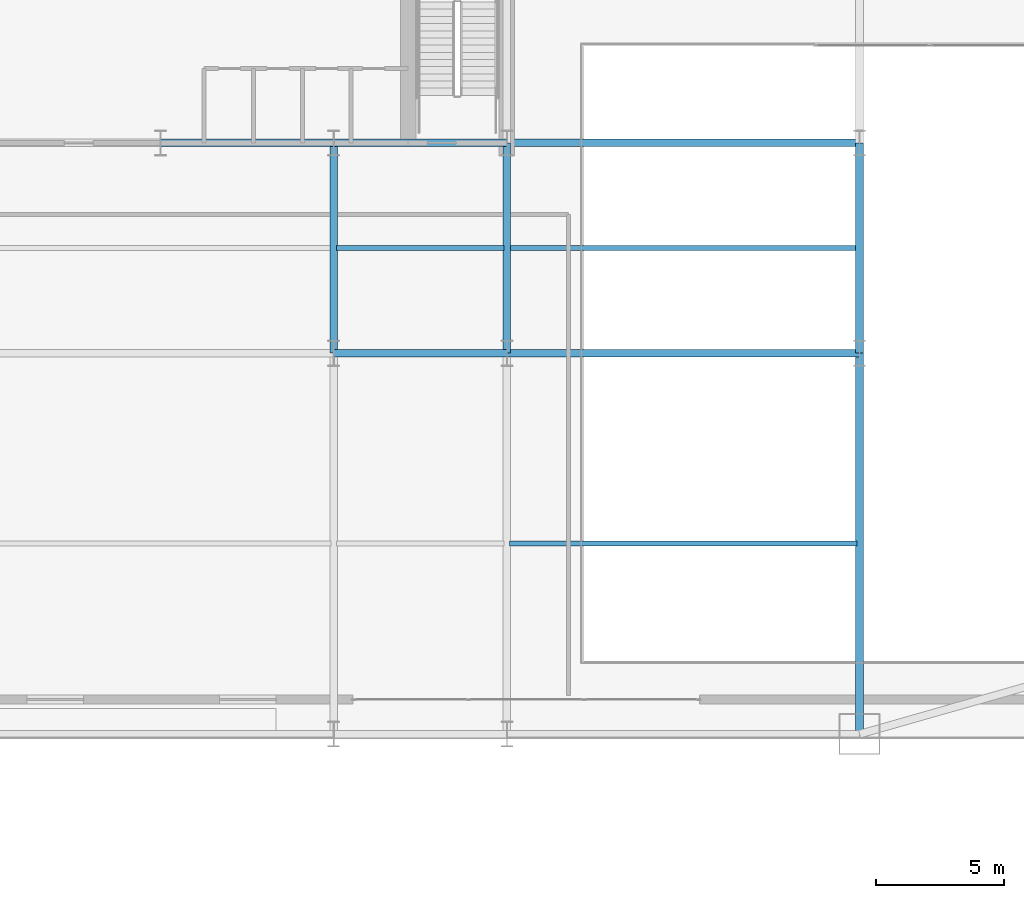
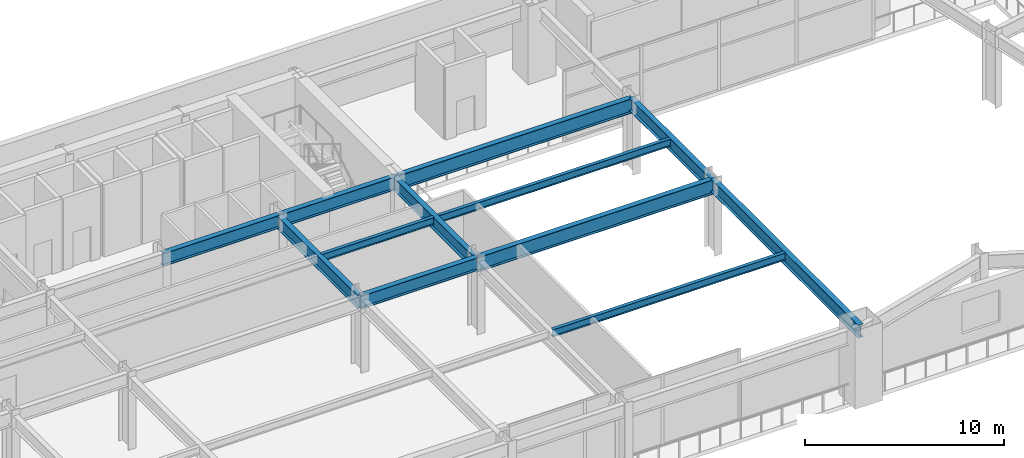
# One storey, part 7 of 35: 12 beams.
"""IFC4 building model written with IfcOpenShell, lengths in metres."""

from ifc_helpers import new_model, si_unit, direction, frame, origin, origin_2d, place, context, subcontext, project, spatial, i_section, extrude, material, material_profile, profile_set, type_object, element, save


model = new_model("IFC4")

# Units and contexts
model_context = context("Model", 3, precision=1e-05, world=origin(), true_north=direction((0.0, 1.0)))
body_context = subcontext(model_context, "Body", "Model", "MODEL_VIEW")
ifc_project = project(units=[si_unit("LENGTHUNIT", "METRE"), si_unit("AREAUNIT", "SQUARE_METRE"), si_unit("VOLUMEUNIT", "CUBIC_METRE"), si_unit("PLANEANGLEUNIT", "RADIAN"), si_unit("MASSUNIT", "GRAM", prefix="KILO")], contexts=[model_context])

# Site, building, storey
site_placement = place(None, origin())
site = spatial("IfcSite", under=ifc_project, at=site_placement, CompositionType="ELEMENT")
building_placement = place(site_placement, origin())
building = spatial("IfcBuilding", under=site, at=building_placement, Name="Haevon Station Towers", CompositionType="ELEMENT")
storey_placement = place(building_placement, frame((0.0, 0.0, 20.39990234375)))
storey = spatial("IfcBuildingStorey", under=building, at=storey_placement, Name="L04", CompositionType="ELEMENT", Elevation=20.39990234375)

# Beams
ifc_material = material(Name="Steel S355", Category="steel")
ifc_material_profile_1 = material_profile(ifc_material, i_section(OverallWidth=0.199951171875, OverallDepth=0.449951171875, WebThickness=0.009033203125, FlangeThickness=0.013916015625, at=origin_2d()), Name="H-450x200x9x14")
ifc_profile_set_1 = profile_set([ifc_material_profile_1], Name="Steel S355")
beam_type_1 = type_object("IfcBeamType", Name="BM-J450", PredefinedType="JOIST", material=ifc_profile_set_1)
beam_1_placement = place(storey_placement, frame((51.110107421875, 22.574951171875, 4.22509765625), z_axis=(1.0, 0.0, 0.0), x_axis=(0.0, 1.0, 0.0)))
element("IfcBeam", 1, at=beam_1_placement, inside=storey, type_object=beam_type_1, Name="BM-T1J-L04-01-05", PredefinedType="JOIST", context=body_context, shape_type="SweptSolid", body=[
    extrude(i_section(OverallWidth=0.199951171875, OverallDepth=0.449951171875, WebThickness=0.009033203125, FlangeThickness=0.013916015625, at=origin_2d()), origin(), (0.0, 0.0, 1.0), 13.52978515625),
])
beam_2_placement = place(storey_placement, frame((44.360107421875, 34.10009765625, 4.22509765625), z_axis=(1.0, 0.0, 0.0), x_axis=(0.0, 1.0, 0.0)))
element("IfcBeam", 2, at=beam_2_placement, inside=storey, type_object=beam_type_1, Name="BM-T1J-L04-02-04", PredefinedType="JOIST", context=body_context, shape_type="SweptSolid", body=[
    extrude(i_section(OverallWidth=0.199951171875, OverallDepth=0.449951171875, WebThickness=0.009033203125, FlangeThickness=0.013916015625, at=origin_2d()), origin(), (0.0, 0.0, 1.0), 6.52978515625),
])
beam_3_placement = place(storey_placement, frame((51.110107421875, 34.10009765625, 4.22509765625), z_axis=(1.0, 0.0, 0.0), x_axis=(0.0, 1.0, 0.0)))
element("IfcBeam", 3, at=beam_3_placement, inside=storey, type_object=beam_type_1, Name="BM-T1J-L04-02-05", PredefinedType="JOIST", context=body_context, shape_type="SweptSolid", body=[
    extrude(i_section(OverallWidth=0.199951171875, OverallDepth=0.449951171875, WebThickness=0.009033203125, FlangeThickness=0.013916015625, at=origin_2d()), origin(), (0.0, 0.0, 1.0), 13.52978515625),
])
ifc_material_profile_2 = material_profile(ifc_material, i_section(OverallWidth=0.300048828125, OverallDepth=0.800048828125, WebThickness=0.013916015625, FlangeThickness=0.02587890625, at=origin_2d()), Name="H-800x300x14x26")
ifc_profile_set_2 = profile_set([ifc_material_profile_2], Name="Steel S355")
beam_type_2 = type_object("IfcBeamType", Name="BM-PG800", PredefinedType="BEAM", material=ifc_profile_set_2)
for number, where, z_axis, x_axis, name in (
    (4, (44.25, 30.0, 4.050048828125), (1.0, 0.0, 0.0), (0.0, 1.0, 0.0), "BM-T1X-L04-02-05"),
    (5, (37.5, 38.199951171875, 4.050048828125), (1.0, 0.0, 0.0), (0.0, 1.0, 0.0), "BM-T1X-L04-03-04"),
    (6, (44.25, 38.199951171875, 4.050048828125), (1.0, 0.0, 0.0), (0.0, 1.0, 0.0), "BM-T1X-L04-03-05"),
):
    element("IfcBeam", number, at=place(storey_placement, frame(where, z_axis=z_axis, x_axis=x_axis)), inside=storey, type_object=beam_type_2, Name=name, PredefinedType="BEAM", context=body_context, shape_type="SweptSolid", body=[
        extrude(i_section(OverallWidth=0.300048828125, OverallDepth=0.800048828125, WebThickness=0.013916015625, FlangeThickness=0.02587890625, at=origin_2d()), origin(), (0.0, 0.0, 1.0), 6.75),
    ])
for number, where, z_axis, x_axis, name in (
    (7, (44.25, 30.0, 4.050048828125), (0.0, 1.0, 0.0), (-1.0, 0.0, 0.0), "BM-T1Y-L04-05-02"),
    (8, (51.0, 30.0, 4.050048828125), (0.0, 1.0, 0.0), (-1.0, 0.0, 0.0), "BM-T1Y-L04-06-02"),
):
    element("IfcBeam", number, at=place(storey_placement, frame(where, z_axis=z_axis, x_axis=x_axis)), inside=storey, type_object=beam_type_2, Name=name, PredefinedType="BEAM", context=body_context, shape_type="SweptSolid", body=[
        extrude(i_section(OverallWidth=0.300048828125, OverallDepth=0.800048828125, WebThickness=0.013916015625, FlangeThickness=0.02587890625, at=origin_2d()), origin(), (0.0, 0.0, 1.0), 8.199951171875),
    ])
beam_4_placement = place(storey_placement, frame((64.75, 15.14990234375, 4.050048828125), z_axis=(0.0, 1.0, 0.0), x_axis=(-1.0, 0.0, 0.0)))
element("IfcBeam", 9, at=beam_4_placement, inside=storey, type_object=beam_type_2, Name="BM-T1Y-L04-07-01", PredefinedType="BEAM", context=body_context, shape_type="SweptSolid", body=[
    extrude(i_section(OverallWidth=0.300048828125, OverallDepth=0.800048828125, WebThickness=0.013916015625, FlangeThickness=0.02587890625, at=origin_2d()), origin(), (0.0, 0.0, 1.0), 14.85009765625),
])
beam_5_placement = place(storey_placement, frame((64.75, 30.0, 4.050048828125), z_axis=(0.0, 1.0, 0.0), x_axis=(-1.0, 0.0, 0.0)))
element("IfcBeam", 10, at=beam_5_placement, inside=storey, type_object=beam_type_2, Name="BM-T1Y-L04-07-02", PredefinedType="BEAM", context=body_context, shape_type="SweptSolid", body=[
    extrude(i_section(OverallWidth=0.300048828125, OverallDepth=0.800048828125, WebThickness=0.013916015625, FlangeThickness=0.02587890625, at=origin_2d()), origin(), (0.0, 0.0, 1.0), 8.199951171875),
])
ifc_material_profile_3 = material_profile(ifc_material, i_section(OverallWidth=0.300048828125, OverallDepth=0.89990234375, WebThickness=0.01611328125, FlangeThickness=0.028076171875, at=origin_2d()), Name="H-900x300x16x28")
ifc_profile_set_3 = profile_set([ifc_material_profile_3], Name="Steel S355")
beam_type_3 = type_object("IfcBeamType", Name="BM-PG900", PredefinedType="BEAM", material=ifc_profile_set_3)
for number, where, z_axis, x_axis, name in (
    (11, (51.0, 30.0, 4.0), (1.0, 0.0, 0.0), (0.0, 1.0, 0.0), "BM-T1X-L04-02-06"),
    (12, (51.0, 38.199951171875, 4.0), (1.0, 0.0, 0.0), (0.0, 1.0, 0.0), "BM-T1X-L04-03-06"),
):
    element("IfcBeam", number, at=place(storey_placement, frame(where, z_axis=z_axis, x_axis=x_axis)), inside=storey, type_object=beam_type_3, Name=name, PredefinedType="BEAM", context=body_context, shape_type="SweptSolid", body=[
        extrude(i_section(OverallWidth=0.300048828125, OverallDepth=0.89990234375, WebThickness=0.01611328125, FlangeThickness=0.028076171875, at=origin_2d()), origin(), (0.0, 0.0, 1.0), 13.75),
    ])

save(model, "model.ifc")
